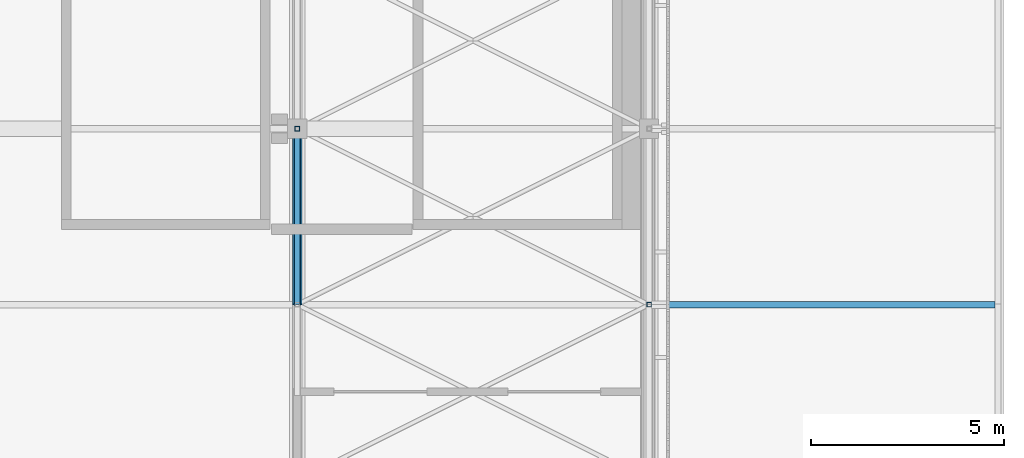
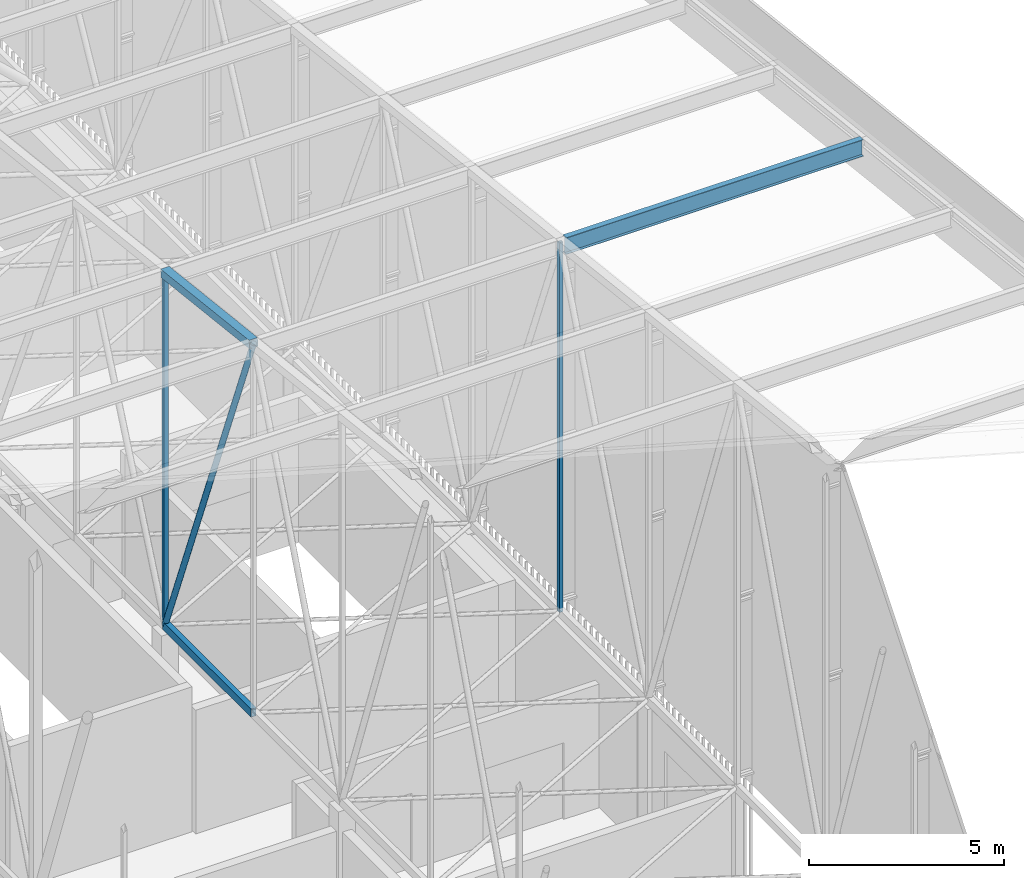
# One storey, part 387 of 500: 6 members.
"""IFC4 building model written with IfcOpenShell, lengths in metres."""

from ifc_helpers import new_model, si_unit, direction, frame, origin, origin_2d, place, context, subcontext, project, spatial, hollow_rectangle, hollow_circle, i_section, extrude, material, material_profile, profile_set, type_object, element, save


model = new_model("IFC4")

# Units and contexts
model_context = context("Model", 3, precision=1e-05, world=origin(), true_north=direction((0.0, 1.0)))
body_context = subcontext(model_context, "Body", "Model", "MODEL_VIEW")
ifc_project = project(units=[si_unit("LENGTHUNIT", "METRE"), si_unit("AREAUNIT", "SQUARE_METRE"), si_unit("VOLUMEUNIT", "CUBIC_METRE"), si_unit("PLANEANGLEUNIT", "RADIAN"), si_unit("MASSUNIT", "GRAM", prefix="KILO")], contexts=[model_context])

# Site, building, storey
site_placement = place(None, origin())
site = spatial("IfcSite", under=ifc_project, at=site_placement, CompositionType="ELEMENT")
building_placement = place(site_placement, origin())
building = spatial("IfcBuilding", under=site, at=building_placement, Name="Shirokan Park Arena", CompositionType="ELEMENT")
storey_placement = place(building_placement, frame((0.0, 0.0, 29.1201171875)))
storey = spatial("IfcBuildingStorey", under=building, at=storey_placement, Name="L06", CompositionType="ELEMENT", Elevation=29.1201171875)

# Members
ifc_material_1 = material(Name="Steel ASTM A500 Grade C", Category="steel")
ifc_material_profile_1 = material_profile(ifc_material_1, hollow_rectangle(XDim=0.152099609375, YDim=0.25390625, WallThickness=0.009521484375, at=origin_2d()), Name="HSS254X152.4X9.5")
ifc_profile_set_1 = profile_set([ifc_material_profile_1], Name="Steel ASTM A500 Grade C")
member_type_1 = type_object("IfcMemberType", Name="Bottom chord HSS254X152.4X9.5", PredefinedType="CHORD", material=ifc_profile_set_1)
member_1_placement = place(storey_placement, frame((136.5, 77.35009765625, 4.677001953125), z_axis=(0.0, 1.0, 0.0), x_axis=(-1.0, 0.0, 0.0)))
element("IfcMember", 1, at=member_1_placement, inside=storey, type_object=member_type_1, Name="Truss T16 bottom chord 20", PredefinedType="CHORD", context=body_context, shape_type="SweptSolid", body=[
    extrude(hollow_rectangle(XDim=0.152099609375, YDim=0.25390625, WallThickness=0.009521484375, at=origin_2d()), origin(), (0.0, 0.0, 1.0), 4.5498046875),
])
ifc_material_2 = material(Name="Steel ASTM A992", Category="steel")
ifc_material_profile_2 = material_profile(ifc_material_2, i_section(OverallWidth=0.166015625, OverallDepth=0.528076171875, WebThickness=0.009765625, FlangeThickness=0.013671875, at=origin_2d()), Name="W530X74")
ifc_profile_set_2 = profile_set([ifc_material_profile_2], Name="Steel ASTM A992")
member_type_2 = type_object("IfcMemberType", Name="Purlin W530X74", PredefinedType="PURLIN", material=ifc_profile_set_2)
member_2_placement = place(storey_placement, frame((145.72705078125, 77.35009765625, 16.1259765625), z_axis=(1.0, 0.0, 0.0), x_axis=(0.0, 1.0, 0.0)))
element("IfcMember", 2, at=member_2_placement, inside=storey, type_object=member_type_2, Name="Eave purlin east 20", PredefinedType="PURLIN", context=body_context, shape_type="SweptSolid", body=[
    extrude(i_section(OverallWidth=0.166015625, OverallDepth=0.528076171875, WebThickness=0.009765625, FlangeThickness=0.013671875, at=origin_2d()), origin(), (0.0, 0.0, 1.0), 8.824951171875),
])
ifc_material_profile_3 = material_profile(ifc_material_1, hollow_rectangle(XDim=0.25390625, YDim=0.25390625, WallThickness=0.009521484375, at=origin_2d()), Name="HSS254X254X9.5")
ifc_profile_set_3 = profile_set([ifc_material_profile_3], Name="Steel ASTM A500 Grade C")
member_type_3 = type_object("IfcMemberType", Name="Top chord HSS254X254X9.5", PredefinedType="CHORD", material=ifc_profile_set_3)
member_3_placement = place(storey_placement, frame((136.5, 77.35009765625, 16.262939453125), z_axis=(0.0, 0.993531641592, -0.11355561261), x_axis=(-1.0, 0.0, 0.0)))
element("IfcMember", 3, at=member_3_placement, inside=storey, type_object=member_type_3, Name="Truss T16 top chord 20", PredefinedType="CHORD", context=body_context, shape_type="SweptSolid", body=[
    extrude(hollow_rectangle(XDim=0.25390625, YDim=0.25390625, WallThickness=0.009521484375, at=origin_2d()), origin(), (0.0, 0.0, 1.0), 4.579345703125),
])
ifc_material_profile_4 = material_profile(ifc_material_1, hollow_circle(Radius=0.083984375, WallThickness=0.009521484375, at=origin_2d()), Name="HSS168.3X9.5")
ifc_profile_set_4 = profile_set([ifc_material_profile_4], Name="Steel ASTM A500 Grade C")
member_type_4 = type_object("IfcMemberType", Name="Truss diagonal HSS168.3X9.5", PredefinedType="BRACE", material=ifc_profile_set_4)
member_4_placement = place(storey_placement, frame((136.5, 77.35009765625, 16.262939453125), z_axis=(0.0, 0.365526146051, -0.930801072493), x_axis=(-1.0, 0.0, 0.0)))
element("IfcMember", 4, at=member_4_placement, inside=storey, type_object=member_type_4, Name="Truss T16 diagonal 20", PredefinedType="BRACE", context=body_context, shape_type="SweptSolid", body=[
    extrude(hollow_circle(Radius=0.083984375, WallThickness=0.009521484375, at=origin_2d()), origin(), (0.0, 0.0, 1.0), 12.447265625),
])
ifc_material_profile_5 = material_profile(ifc_material_1, hollow_rectangle(XDim=0.114013671875, YDim=0.114013671875, WallThickness=0.00634765625, at=origin_2d()), Name="HSS114.3X114.3X6.4")
ifc_profile_set_5 = profile_set([ifc_material_profile_5], Name="Steel ASTM A500 Grade C")
member_type_5 = type_object("IfcMemberType", Name="Truss post HSS114.3X114.3X6.4", PredefinedType="POST", material=ifc_profile_set_5)
member_5_placement = place(storey_placement, frame((145.60009765625, 77.35009765625, 4.677001953125), z_axis=(0.0, 0.0, 1.0), x_axis=(1.0, 0.0, 0.0)))
element("IfcMember", 5, at=member_5_placement, inside=storey, type_object=member_type_5, Name="Truss T17 post 20", PredefinedType="POST", context=body_context, shape_type="SweptSolid", body=[
    extrude(hollow_rectangle(XDim=0.114013671875, YDim=0.114013671875, WallThickness=0.00634765625, at=origin_2d()), origin(), (0.0, 0.0, 1.0), 11.5859375),
])
ifc_material_profile_6 = material_profile(ifc_material_1, hollow_rectangle(XDim=0.126953125, YDim=0.126953125, WallThickness=0.0126953125, at=origin_2d()), Name="HSS127X127X12.7")
ifc_profile_set_6 = profile_set([ifc_material_profile_6], Name="Steel ASTM A500 Grade C")
member_type_6 = type_object("IfcMemberType", Name="Truss post HSS127X127X12.7", PredefinedType="POST", material=ifc_profile_set_6)
member_6_placement = place(storey_placement, frame((136.5, 81.89990234375, 4.677001953125), z_axis=(0.0, 0.0, 1.0), x_axis=(1.0, 0.0, 0.0)))
element("IfcMember", 6, at=member_6_placement, inside=storey, type_object=member_type_6, Name="Truss T16 post 21", PredefinedType="POST", context=body_context, shape_type="SweptSolid", body=[
    extrude(hollow_rectangle(XDim=0.126953125, YDim=0.126953125, WallThickness=0.0126953125, at=origin_2d()), origin(), (0.0, 0.0, 1.0), 11.06591796875),
])

save(model, "model.ifc")
